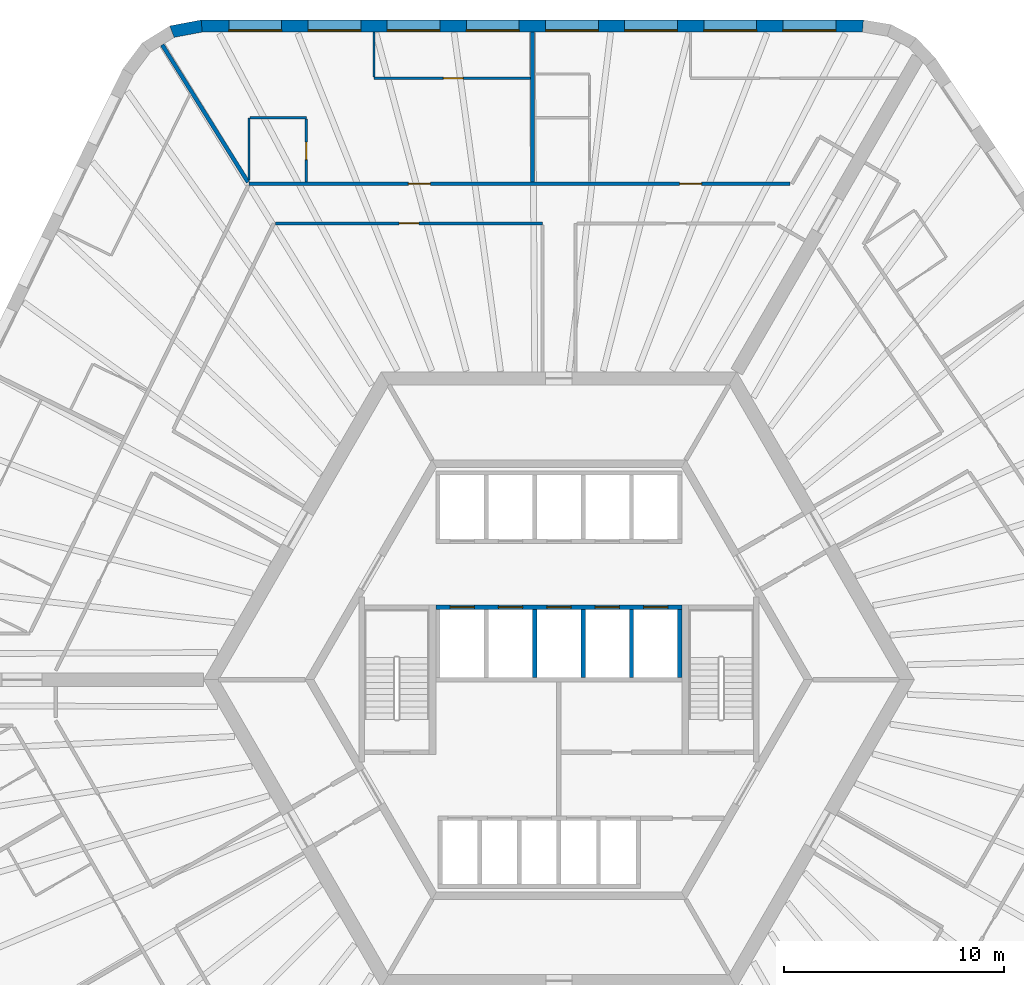
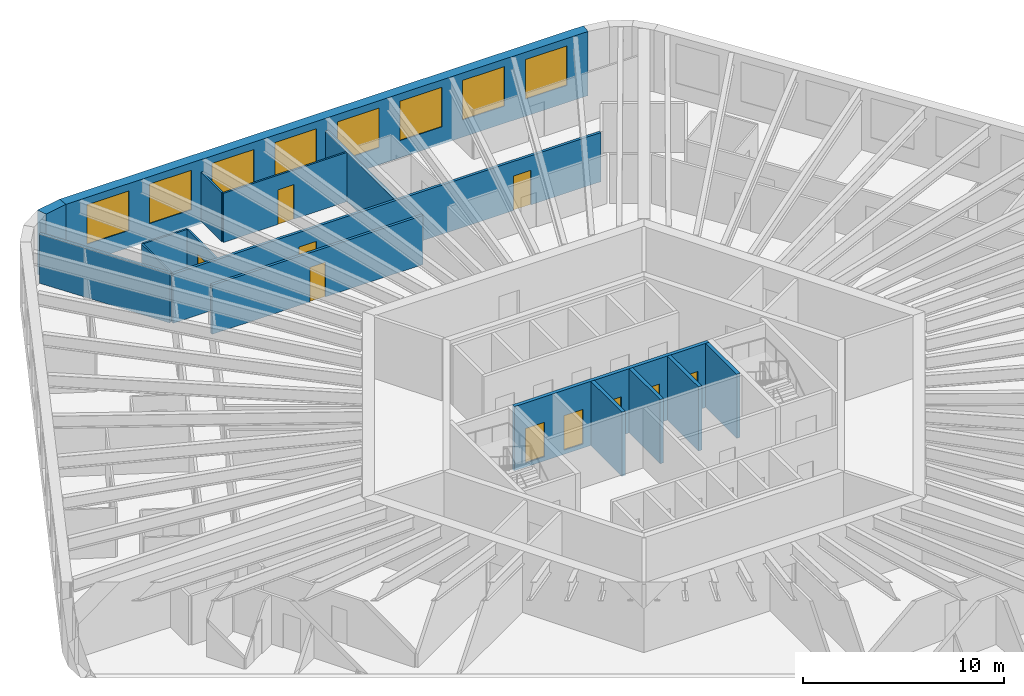
# One storey, part 8 of 12: 16 walls, 10 doors, 8 windows, 18 openings.
"""IFC4 building model written with IfcOpenShell, lengths in metres."""

from ifc_helpers import new_model, si_unit, direction, frame, frame_2d, origin, place, context, subcontext, project, spatial, polyline, rectangle, outline, extrude, material, layer, layer_set, type_object, element, fill, save


model = new_model("IFC4")

# Units and contexts
model_context = context("Model", 3, precision=1e-05, world=origin(), true_north=direction((0.0, 1.0)))
body_context = subcontext(model_context, "Body", "Model", "MODEL_VIEW")
ifc_project = project(units=[si_unit("LENGTHUNIT", "METRE"), si_unit("AREAUNIT", "SQUARE_METRE"), si_unit("VOLUMEUNIT", "CUBIC_METRE"), si_unit("PLANEANGLEUNIT", "RADIAN"), si_unit("MASSUNIT", "GRAM", prefix="KILO")], contexts=[model_context])

# Site, building, storey
site_placement = place(None, origin())
site = spatial("IfcSite", under=ifc_project, at=site_placement, CompositionType="ELEMENT")
building_placement = place(site_placement, origin())
building = spatial("IfcBuilding", under=site, at=building_placement, Name="Tarnside Tower", CompositionType="ELEMENT")
storey_placement = place(building_placement, frame((0.0, 0.0, 53.10009765625)))
storey = spatial("IfcBuildingStorey", under=building, at=storey_placement, Name="L10", CompositionType="ELEMENT", Elevation=53.10009765625)

# Walls
ifc_material_1 = material(Name="Gypsum board partition on steel studs", Category="steel")
ifc_layer_1 = layer(ifc_material_1, 0.10009765625)
ifc_layer_set_1 = layer_set([ifc_layer_1], Name="Bathroom wall 100")
wall_type_1 = type_object("IfcWallType", Name="Bathroom wall 100", PredefinedType="PARTITIONING", material=ifc_layer_set_1)
wall_1_placement = place(storey_placement, frame((-14.0908203125, 22.72119140625, 0.0), z_axis=(0.0, 0.0, 1.0), x_axis=(0.0, 1.0, 0.0)))
element("IfcWall", 1, at=wall_1_placement, inside=storey, type_object=wall_type_1, Name="Bathroom wall 02082", PredefinedType="PARTITIONING", context=body_context, shape_type="SweptSolid", body=[
    extrude(rectangle(XDim=2.828857421875, YDim=0.10009765625, at=frame_2d((1.41455078125, 0.0))), origin(), (0.0, 0.0, 1.0), 2.98779296875),
])
wall_2_placement = place(storey_placement, frame((-14.040771484375, 25.550048828125, 0.0), z_axis=(0.0, 0.0, 1.0), x_axis=(1.0, 0.0, 0.0)))
element("IfcWall", 2, at=wall_2_placement, inside=storey, type_object=wall_type_1, Name="Bathroom wall 02083", PredefinedType="PARTITIONING", context=body_context, shape_type="SweptSolid", body=[
    extrude(rectangle(XDim=2.550048828125, YDim=0.10009765625, at=frame_2d((1.27490234375, 0.0))), origin(), (0.0, 0.0, 1.0), 2.98779296875),
])

# Wall, opening, door
wall_3_placement = place(storey_placement, frame((-11.49072265625, 25.5, 0.0), z_axis=(0.0, 0.0, 1.0), x_axis=(0.0, -1.0, 0.0)))
wall_3 = element("IfcWall", 3, at=wall_3_placement, inside=storey, type_object=wall_type_1, Name="Bathroom wall 02084", PredefinedType="PARTITIONING", context=body_context, shape_type="SweptSolid", body=[
    extrude(rectangle(XDim=2.875, YDim=0.10009765625, at=frame_2d((1.4375, 0.0))), origin(), (0.0, 0.0, 1.0), 2.98779296875),
])
opening_1_placement = place(wall_3_placement, frame((1.050048828125, 0.0, 0.0)))
opening_1 = element("IfcOpeningElement", 4, at=opening_1_placement, cuts=wall_3, Name="Opening D-B1", PredefinedType="OPENING", context=body_context, shape_type="SweptSolid", body=[
    extrude(rectangle(XDim=0.800048828125, YDim=2.10009765625, at=frame_2d((0.39990234375, 1.050048828125))), frame((0.0, 0.06005859375, 0.0), z_axis=(0.0, -1.0, 0.0), x_axis=(1.0, 0.0, 0.0)), (0.0, 0.0, 1.0), 0.1201171875),
])
ifc_material_2 = material(Name="Timber door leaf", Category="wood")
door_type_1 = type_object("IfcDoorType", Name="Bathroom door 800", OperationType="NOTDEFINED", PredefinedType="DOOR", material=ifc_material_2)
door_1_placement = place(opening_1_placement, origin())
door_1 = element("IfcDoor", 5, at=door_1_placement, inside=storey, type_object=door_type_1, Name="Bathroom door 02006", OperationType="SINGLE_SWING_RIGHT", OverallHeight=2.10009765625, OverallWidth=0.800048828125, PredefinedType="DOOR", context=body_context, shape_type="SweptSolid", body=[
    extrude(rectangle(XDim=0.800048828125, YDim=2.10009765625, at=frame_2d((0.39990234375, 1.050048828125))), frame((0.0, 0.02490234375, 0.0), z_axis=(0.0, -1.0, 0.0), x_axis=(1.0, 0.0, 0.0)), (0.0, 0.0, 1.0), 0.050048828125),
])
fill(opening_1, door_1)

# Wall, openings, doors
ifc_layer_2 = layer(ifc_material_1, 0.14990234375)
ifc_layer_set_2 = layer_set([ifc_layer_2], Name="Corridor wall 150 EI 60")
wall_type_2 = type_object("IfcWallType", Name="Corridor wall 150 EI 60", PredefinedType="PARTITIONING", material=ifc_layer_set_2)
wall_4_placement = place(storey_placement, frame((10.5078125, 22.550048828125, 0.0), z_axis=(0.0, 0.0, 1.0), x_axis=(-1.0, 0.0, 0.0)))
wall_4 = element("IfcWall", 6, at=wall_4_placement, inside=storey, type_object=wall_type_2, Name="Corridor wall 02003", PredefinedType="PARTITIONING", context=body_context, shape_type="SweptSolid", body=[
    extrude(rectangle(XDim=24.5986328125, YDim=0.14990234375, at=frame_2d((12.29931640625, 0.0))), origin(), (0.0, 0.0, 1.0), 2.98779296875),
])
opening_2_placement = place(wall_4_placement, frame((4.01611328125, 0.0, 0.0)))
opening_2 = element("IfcOpeningElement", 7, at=opening_2_placement, cuts=wall_4, Name="Opening D-E1", PredefinedType="OPENING", context=body_context, shape_type="SweptSolid", body=[
    extrude(rectangle(XDim=1.0, YDim=2.10009765625, at=frame_2d((0.5, 1.050048828125))), frame((0.0, 0.0849609375, 0.0), z_axis=(0.0, -1.0, 0.0), x_axis=(1.0, 0.0, 0.0)), (0.0, 0.0, 1.0), 0.169921875),
])
opening_3_placement = place(wall_4_placement, frame((16.358642578125, 0.0, 0.0)))
opening_3 = element("IfcOpeningElement", 8, at=opening_3_placement, cuts=wall_4, Name="Opening D-E1", PredefinedType="OPENING", context=body_context, shape_type="SweptSolid", body=[
    extrude(rectangle(XDim=1.0, YDim=2.10009765625, at=frame_2d((0.5, 1.050048828125))), frame((0.0, 0.0849609375, 0.0), z_axis=(0.0, -1.0, 0.0), x_axis=(1.0, 0.0, 0.0)), (0.0, 0.0, 1.0), 0.169921875),
])
door_type_2 = type_object("IfcDoorType", Name="Unit entrance door 1000 FD30S", OperationType="NOTDEFINED", PredefinedType="DOOR", material=ifc_material_2)
door_2_placement = place(opening_2_placement, origin())
door_2 = element("IfcDoor", 9, at=door_2_placement, inside=storey, type_object=door_type_2, Name="Unit door 02001", OperationType="SINGLE_SWING_RIGHT", OverallHeight=2.10009765625, OverallWidth=1.0, PredefinedType="DOOR", context=body_context, shape_type="SweptSolid", body=[
    extrude(rectangle(XDim=1.0, YDim=2.10009765625, at=frame_2d((0.5, 1.050048828125))), frame((0.0, 0.02490234375, 0.0), z_axis=(0.0, -1.0, 0.0), x_axis=(1.0, 0.0, 0.0)), (0.0, 0.0, 1.0), 0.050048828125),
])
fill(opening_2, door_2)
door_3_placement = place(opening_3_placement, origin())
door_3 = element("IfcDoor", 10, at=door_3_placement, inside=storey, type_object=door_type_2, Name="Unit door 02005", OperationType="SINGLE_SWING_LEFT", OverallHeight=2.10009765625, OverallWidth=1.0, PredefinedType="DOOR", context=body_context, shape_type="SweptSolid", body=[
    extrude(rectangle(XDim=1.0, YDim=2.10009765625, at=frame_2d((0.5, 1.050048828125))), frame((0.0, 0.02490234375, 0.0), z_axis=(0.0, -1.0, 0.0), x_axis=(1.0, 0.0, 0.0)), (0.0, 0.0, 1.0), 0.050048828125),
])
fill(opening_3, door_3)

# Wall, opening, door
wall_5_placement = place(storey_placement, frame((-12.882568359375, 20.75, 0.0), z_axis=(0.0, 0.0, 1.0), x_axis=(1.0, 0.0, 0.0)))
wall_5 = element("IfcWall", 11, at=wall_5_placement, inside=storey, type_object=wall_type_2, Name="Corridor wall 02015", PredefinedType="PARTITIONING", context=body_context, shape_type="SweptSolid", body=[
    extrude(rectangle(XDim=12.132568359375, YDim=0.14990234375, at=frame_2d((6.06640625, 0.0))), origin(), (0.0, 0.0, 1.0), 2.98779296875),
])
opening_4_placement = place(wall_5_placement, frame((5.6162109375, 0.0, 0.0)))
opening_4 = element("IfcOpeningElement", 12, at=opening_4_placement, cuts=wall_5, Name="Opening D-S1", PredefinedType="OPENING", context=body_context, shape_type="SweptSolid", body=[
    extrude(rectangle(XDim=0.89990234375, YDim=2.10009765625, at=frame_2d((0.449951171875, 1.050048828125))), frame((0.0, 0.0849609375, 0.0), z_axis=(0.0, -1.0, 0.0), x_axis=(1.0, 0.0, 0.0)), (0.0, 0.0, 1.0), 0.169921875),
])
door_type_3 = type_object("IfcDoorType", Name="Service room door 900 FD30S", OperationType="NOTDEFINED", PredefinedType="DOOR", material=ifc_material_2)
door_4_placement = place(opening_4_placement, origin())
door_4 = element("IfcDoor", 13, at=door_4_placement, inside=storey, type_object=door_type_3, Name="Service door 02041", OperationType="SINGLE_SWING_LEFT", OverallHeight=2.10009765625, OverallWidth=0.89990234375, PredefinedType="DOOR", context=body_context, shape_type="SweptSolid", body=[
    extrude(rectangle(XDim=0.89990234375, YDim=2.10009765625, at=frame_2d((0.449951171875, 1.050048828125))), frame((0.0, 0.02490234375, 0.0), z_axis=(0.0, -1.0, 0.0), x_axis=(1.0, 0.0, 0.0)), (0.0, 0.0, 1.0), 0.050048828125),
])
fill(opening_4, door_4)

# Walls
ifc_layer_3 = layer(ifc_material_1, 0.179931640625)
ifc_layer_set_3 = layer_set([ifc_layer_3], Name="Demising wall 180 EI 60")
wall_type_3 = type_object("IfcWallType", Name="Demising wall 180 EI 60", PredefinedType="PARTITIONING", material=ifc_layer_set_3)
wall_6_placement = place(storey_placement, frame((-1.2109375, 29.449951171875, 0.0), z_axis=(0.0, 0.0, 1.0), x_axis=(0.0, -1.0, 0.0)))
element("IfcWall", 14, at=wall_6_placement, inside=storey, type_object=wall_type_3, Name="Demising wall 02077", PredefinedType="PARTITIONING", context=body_context, shape_type="SweptSolid", body=[
    extrude(rectangle(XDim=6.824951171875, YDim=0.179931640625, at=frame_2d((3.41259765625, 0.0))), origin(), (0.0, 0.0, 1.0), 2.98779296875),
])
wall_7_placement = place(storey_placement, frame((-18.040771484375, 28.87109375, 0.0), z_axis=(0.0, 0.0, 1.0), x_axis=(0.529927429128, -0.848042994109, 0.0)))
element("IfcWall", 15, at=wall_7_placement, inside=storey, type_object=wall_type_3, Name="Demising wall 02087", PredefinedType="PARTITIONING", context=body_context, shape_type="SweptSolid", body=[
    extrude(rectangle(XDim=7.365234375, YDim=0.179931640625, at=frame_2d((3.6826171875, 0.0))), origin(), (0.0, 0.0, 1.0), 2.98779296875),
])

# Wall, openings, doors
ifc_material_3 = material(Name="Concrete C40/50", Category="concrete")
ifc_layer_4 = layer(ifc_material_3, 0.199951171875)
ifc_layer_set_4 = layer_set([ifc_layer_4], Name="Lift shaft wall 200 C40/50")
wall_type_4 = type_object("IfcWallType", Name="Lift shaft wall 200 C40/50", PredefinedType="SHEAR", material=ifc_layer_set_4)
wall_8_placement = place(storey_placement, frame((-5.60009765625, 3.300048828125, -0.25), z_axis=(0.0, 0.0, 1.0), x_axis=(1.0, 0.0, 0.0)))
wall_8 = element("IfcWall", 16, at=wall_8_placement, inside=storey, type_object=wall_type_4, Name="L10 lift shaft front wall R2", PredefinedType="SHEAR", context=body_context, shape_type="SweptSolid", body=[
    extrude(rectangle(XDim=11.2001953125, YDim=0.199951171875, at=frame_2d((5.60009765625, 0.0))), origin(), (0.0, 0.0, 1.0), 3.89990234375),
])
opening_5_placement = place(wall_8_placement, frame((0.64990234375, 0.0, 0.25)))
opening_5 = element("IfcOpeningElement", 17, at=opening_5_placement, cuts=wall_8, Name="Opening LD", PredefinedType="OPENING", context=body_context, shape_type="SweptSolid", body=[
    extrude(rectangle(XDim=1.10009765625, YDim=2.10009765625, at=frame_2d((0.550048828125, 1.050048828125))), frame((0.0, 0.10986328125, 0.0), z_axis=(0.0, -1.0, 0.0), x_axis=(1.0, 0.0, 0.0)), (0.0, 0.0, 1.0), 0.219970703125),
])
opening_6_placement = place(wall_8_placement, frame((2.85009765625, 0.0, 0.25)))
opening_6 = element("IfcOpeningElement", 18, at=opening_6_placement, cuts=wall_8, Name="Opening LD", PredefinedType="OPENING", context=body_context, shape_type="SweptSolid", body=[
    extrude(rectangle(XDim=1.10009765625, YDim=2.10009765625, at=frame_2d((0.550048828125, 1.050048828125))), frame((0.0, 0.10986328125, 0.0), z_axis=(0.0, -1.0, 0.0), x_axis=(1.0, 0.0, 0.0)), (0.0, 0.0, 1.0), 0.219970703125),
])
opening_7_placement = place(wall_8_placement, frame((5.050048828125, 0.0, 0.25)))
opening_7 = element("IfcOpeningElement", 19, at=opening_7_placement, cuts=wall_8, Name="Opening LD", PredefinedType="OPENING", context=body_context, shape_type="SweptSolid", body=[
    extrude(rectangle(XDim=1.10009765625, YDim=2.10009765625, at=frame_2d((0.550048828125, 1.050048828125))), frame((0.0, 0.10986328125, 0.0), z_axis=(0.0, -1.0, 0.0), x_axis=(1.0, 0.0, 0.0)), (0.0, 0.0, 1.0), 0.219970703125),
])
opening_8_placement = place(wall_8_placement, frame((7.25, 0.0, 0.25)))
opening_8 = element("IfcOpeningElement", 20, at=opening_8_placement, cuts=wall_8, Name="Opening LD", PredefinedType="OPENING", context=body_context, shape_type="SweptSolid", body=[
    extrude(rectangle(XDim=1.10009765625, YDim=2.10009765625, at=frame_2d((0.550048828125, 1.050048828125))), frame((0.0, 0.10986328125, 0.0), z_axis=(0.0, -1.0, 0.0), x_axis=(1.0, 0.0, 0.0)), (0.0, 0.0, 1.0), 0.219970703125),
])
opening_9_placement = place(wall_8_placement, frame((9.449951171875, 0.0, 0.25)))
opening_9 = element("IfcOpeningElement", 21, at=opening_9_placement, cuts=wall_8, Name="Opening LD", PredefinedType="OPENING", context=body_context, shape_type="SweptSolid", body=[
    extrude(rectangle(XDim=1.10009765625, YDim=2.10009765625, at=frame_2d((0.550048828125, 1.050048828125))), frame((0.0, 0.10986328125, 0.0), z_axis=(0.0, -1.0, 0.0), x_axis=(1.0, 0.0, 0.0)), (0.0, 0.0, 1.0), 0.219970703125),
])
ifc_material_4 = material(Name="Stainless steel", Category="steel")
door_type_4 = type_object("IfcDoorType", Name="Lift landing door 1100x2100", OperationType="NOTDEFINED", PredefinedType="DOOR", material=ifc_material_4)
door_5_placement = place(opening_5_placement, origin())
door_5 = element("IfcDoor", 22, at=door_5_placement, inside=storey, type_object=door_type_4, Name="Low-rise lift 4 landing door L10", OperationType="SLIDING_TO_LEFT", OverallHeight=2.10009765625, OverallWidth=1.10009765625, PredefinedType="DOOR", context=body_context, shape_type="SweptSolid", body=[
    extrude(rectangle(XDim=1.10009765625, YDim=2.10009765625, at=frame_2d((0.550048828125, 1.050048828125))), frame((0.0, 0.02490234375, 0.0), z_axis=(0.0, -1.0, 0.0), x_axis=(1.0, 0.0, 0.0)), (0.0, 0.0, 1.0), 0.050048828125),
])
fill(opening_5, door_5)
door_6_placement = place(opening_6_placement, origin())
door_6 = element("IfcDoor", 23, at=door_6_placement, inside=storey, type_object=door_type_4, Name="Low-rise lift 5 landing door L10", OperationType="SLIDING_TO_LEFT", OverallHeight=2.10009765625, OverallWidth=1.10009765625, PredefinedType="DOOR", context=body_context, shape_type="SweptSolid", body=[
    extrude(rectangle(XDim=1.10009765625, YDim=2.10009765625, at=frame_2d((0.550048828125, 1.050048828125))), frame((0.0, 0.02490234375, 0.0), z_axis=(0.0, -1.0, 0.0), x_axis=(1.0, 0.0, 0.0)), (0.0, 0.0, 1.0), 0.050048828125),
])
fill(opening_6, door_6)
door_7_placement = place(opening_7_placement, origin())
door_7 = element("IfcDoor", 24, at=door_7_placement, inside=storey, type_object=door_type_4, Name="Low-rise lift 6 landing door L10", OperationType="SLIDING_TO_LEFT", OverallHeight=2.10009765625, OverallWidth=1.10009765625, PredefinedType="DOOR", context=body_context, shape_type="SweptSolid", body=[
    extrude(rectangle(XDim=1.10009765625, YDim=2.10009765625, at=frame_2d((0.550048828125, 1.050048828125))), frame((0.0, 0.02490234375, 0.0), z_axis=(0.0, -1.0, 0.0), x_axis=(1.0, 0.0, 0.0)), (0.0, 0.0, 1.0), 0.050048828125),
])
fill(opening_7, door_7)
door_8_placement = place(opening_8_placement, origin())
door_8 = element("IfcDoor", 25, at=door_8_placement, inside=storey, type_object=door_type_4, Name="High sky-lobby shuttle 1 landing door L10", OperationType="SLIDING_TO_LEFT", OverallHeight=2.10009765625, OverallWidth=1.10009765625, PredefinedType="DOOR", context=body_context, shape_type="SweptSolid", body=[
    extrude(rectangle(XDim=1.10009765625, YDim=2.10009765625, at=frame_2d((0.550048828125, 1.050048828125))), frame((0.0, 0.02490234375, 0.0), z_axis=(0.0, -1.0, 0.0), x_axis=(1.0, 0.0, 0.0)), (0.0, 0.0, 1.0), 0.050048828125),
])
fill(opening_8, door_8)
door_9_placement = place(opening_9_placement, origin())
door_9 = element("IfcDoor", 26, at=door_9_placement, inside=storey, type_object=door_type_4, Name="Express sky-lobby shuttle 2 landing door L10", OperationType="SLIDING_TO_LEFT", OverallHeight=2.10009765625, OverallWidth=1.10009765625, PredefinedType="DOOR", context=body_context, shape_type="SweptSolid", body=[
    extrude(rectangle(XDim=1.10009765625, YDim=2.10009765625, at=frame_2d((0.550048828125, 1.050048828125))), frame((0.0, 0.02490234375, 0.0), z_axis=(0.0, -1.0, 0.0), x_axis=(1.0, 0.0, 0.0)), (0.0, 0.0, 1.0), 0.050048828125),
])
fill(opening_9, door_9)

# Walls
for number, where, z_axis, x_axis, name in (
    (27, (-1.10009765625, 0.10009765625, -0.25), (0.0, 0.0, 1.0), (0.0, 1.0, 0.0), "L10 lift shaft partition R23"),
    (28, (1.10009765625, 0.10009765625, -0.25), (0.0, 0.0, 1.0), (0.0, 1.0, 0.0), "L10 lift shaft partition R24"),
    (29, (3.300048828125, 0.10009765625, -0.25), (0.0, 0.0, 1.0), (0.0, 1.0, 0.0), "L10 lift shaft partition R25"),
    (30, (5.5, 0.10009765625, -0.25), (0.0, 0.0, 1.0), (0.0, 1.0, 0.0), "L10 lift shaft partition R26"),
):
    element("IfcWall", number, at=place(storey_placement, frame(where, z_axis=z_axis, x_axis=x_axis)), inside=storey, type_object=wall_type_4, Name=name, PredefinedType="SHEAR", context=body_context, shape_type="SweptSolid", body=[
        extrude(rectangle(XDim=3.099853515625, YDim=0.199951171875, at=frame_2d((1.5498046875, 0.0))), origin(), (0.0, 0.0, 1.0), 3.89990234375),
    ])

# Wall, opening, door
ifc_layer_5 = layer(ifc_material_1, 0.10009765625)
ifc_layer_set_5 = layer_set([ifc_layer_5], Name="Partition 100")
wall_type_5 = type_object("IfcWallType", Name="Partition 100", PredefinedType="PARTITIONING", material=ifc_layer_set_5)
wall_9_placement = place(storey_placement, frame((-1.301025390625, 27.35009765625, 0.0), z_axis=(0.0, 0.0, 1.0), x_axis=(-1.0, 0.0, 0.0)))
wall_9 = element("IfcWall", 31, at=wall_9_placement, inside=storey, type_object=wall_type_5, Name="Partition wall 02085", PredefinedType="PARTITIONING", context=body_context, shape_type="SweptSolid", body=[
    extrude(rectangle(XDim=7.110107421875, YDim=0.10009765625, at=frame_2d((3.55517578125, 0.0))), origin(), (0.0, 0.0, 1.0), 2.98779296875),
])
opening_10_placement = place(wall_9_placement, frame((3.06005859375, 0.0, 0.0)))
opening_10 = element("IfcOpeningElement", 32, at=opening_10_placement, cuts=wall_9, Name="Opening D-I1", PredefinedType="OPENING", context=body_context, shape_type="SweptSolid", body=[
    extrude(rectangle(XDim=0.89990234375, YDim=2.10009765625, at=frame_2d((0.449951171875, 1.050048828125))), frame((0.0, 0.06005859375, 0.0), z_axis=(0.0, -1.0, 0.0), x_axis=(1.0, 0.0, 0.0)), (0.0, 0.0, 1.0), 0.1201171875),
])
door_type_5 = type_object("IfcDoorType", Name="Internal door 900", OperationType="NOTDEFINED", PredefinedType="DOOR", material=ifc_material_2)
door_10_placement = place(opening_10_placement, origin())
door_10 = element("IfcDoor", 33, at=door_10_placement, inside=storey, type_object=door_type_5, Name="Internal door 02007", OperationType="SINGLE_SWING_RIGHT", OverallHeight=2.10009765625, OverallWidth=0.89990234375, PredefinedType="DOOR", context=body_context, shape_type="SweptSolid", body=[
    extrude(rectangle(XDim=0.89990234375, YDim=2.10009765625, at=frame_2d((0.449951171875, 1.050048828125))), frame((0.0, 0.02490234375, 0.0), z_axis=(0.0, -1.0, 0.0), x_axis=(1.0, 0.0, 0.0)), (0.0, 0.0, 1.0), 0.050048828125),
])
fill(opening_10, door_10)

# Wall
wall_10_placement = place(storey_placement, frame((-8.4111328125, 27.39990234375, 0.0), z_axis=(0.0, 0.0, 1.0), x_axis=(0.0, 1.0, 0.0)))
element("IfcWall", 34, at=wall_10_placement, inside=storey, type_object=wall_type_5, Name="Partition wall 02086", PredefinedType="PARTITIONING", context=body_context, shape_type="SweptSolid", body=[
    extrude(rectangle(XDim=2.050048828125, YDim=0.10009765625, at=frame_2d((1.02490234375, 0.0))), origin(), (0.0, 0.0, 1.0), 2.98779296875),
])

# Wall, openings, windows
ifc_material_5 = material(Name="Facing brick", Category="masonry")
ifc_layer_6 = layer(ifc_material_5, 0.10205078125)
ifc_material_6 = material(Name="Concrete C60/75 precast", Category="concrete")
ifc_layer_7 = layer(ifc_material_6, 0.347900390625)
ifc_material_7 = material(Name="Mineral wool insulation")
ifc_layer_8 = layer(ifc_material_7, 0.10009765625)
ifc_layer_set_6 = layer_set([ifc_layer_6, ifc_layer_7, ifc_layer_8], Name="Tube wall 550 brick faced")
wall_type_6 = type_object("IfcWallType", Name="Tube wall 550 brick faced", PredefinedType="SOLIDWALL", material=ifc_layer_set_6)
wall_11_placement = place(storey_placement, frame((13.824462890625, 29.72509765625, -0.150146484375), z_axis=(0.0, 0.0, 1.0), x_axis=(-1.0, 0.0, 0.0)))
wall_11 = element("IfcWall", 35, at=wall_11_placement, inside=storey, type_object=wall_type_6, Name="Tube wall L10 F1 flush 00", PredefinedType="SOLIDWALL", context=body_context, shape_type="SweptSolid", body=[
    extrude(outline(polyline([(-0.0224609375, -0.27490234375), (30.0966796875, -0.27490234375), (30.04541015625, 0.27490234375), (0.0224609375, 0.27490234375), (-0.0224609375, -0.27490234375)])), origin(), (0.0, 0.0, 1.0), 3.900146484375),
])
opening_11_placement = place(wall_11_placement, frame((1.235595703125, 0.0, 1.050048828125)))
opening_11 = element("IfcOpeningElement", 36, at=opening_11_placement, cuts=wall_11, Name="Opening WH", PredefinedType="OPENING", context=body_context, shape_type="SweptSolid", body=[
    extrude(rectangle(XDim=2.39990234375, YDim=2.39990234375, at=frame_2d((1.199951171875, 1.199951171875))), frame((0.0, 0.28515625, 0.0), z_axis=(0.0, -1.0, 0.0), x_axis=(1.0, 0.0, 0.0)), (0.0, 0.0, 1.0), 0.570068359375),
])
opening_12_placement = place(wall_11_placement, frame((4.83544921875, 0.0, 1.050048828125)))
opening_12 = element("IfcOpeningElement", 37, at=opening_12_placement, cuts=wall_11, Name="Opening WH", PredefinedType="OPENING", context=body_context, shape_type="SweptSolid", body=[
    extrude(rectangle(XDim=2.39990234375, YDim=2.39990234375, at=frame_2d((1.199951171875, 1.199951171875))), frame((0.0, 0.28515625, 0.0), z_axis=(0.0, -1.0, 0.0), x_axis=(1.0, 0.0, 0.0)), (0.0, 0.0, 1.0), 0.570068359375),
])
opening_13_placement = place(wall_11_placement, frame((8.435546875, 0.0, 1.050048828125)))
opening_13 = element("IfcOpeningElement", 38, at=opening_13_placement, cuts=wall_11, Name="Opening WH", PredefinedType="OPENING", context=body_context, shape_type="SweptSolid", body=[
    extrude(rectangle(XDim=2.39990234375, YDim=2.39990234375, at=frame_2d((1.199951171875, 1.199951171875))), frame((0.0, 0.28515625, 0.0), z_axis=(0.0, -1.0, 0.0), x_axis=(1.0, 0.0, 0.0)), (0.0, 0.0, 1.0), 0.570068359375),
])
opening_14_placement = place(wall_11_placement, frame((12.035400390625, 0.0, 1.050048828125)))
opening_14 = element("IfcOpeningElement", 39, at=opening_14_placement, cuts=wall_11, Name="Opening WH", PredefinedType="OPENING", context=body_context, shape_type="SweptSolid", body=[
    extrude(rectangle(XDim=2.39990234375, YDim=2.39990234375, at=frame_2d((1.199951171875, 1.199951171875))), frame((0.0, 0.28515625, 0.0), z_axis=(0.0, -1.0, 0.0), x_axis=(1.0, 0.0, 0.0)), (0.0, 0.0, 1.0), 0.570068359375),
])
opening_15_placement = place(wall_11_placement, frame((15.635498046875, 0.0, 1.050048828125)))
opening_15 = element("IfcOpeningElement", 40, at=opening_15_placement, cuts=wall_11, Name="Opening WH", PredefinedType="OPENING", context=body_context, shape_type="SweptSolid", body=[
    extrude(rectangle(XDim=2.39990234375, YDim=2.39990234375, at=frame_2d((1.199951171875, 1.199951171875))), frame((0.0, 0.28515625, 0.0), z_axis=(0.0, -1.0, 0.0), x_axis=(1.0, 0.0, 0.0)), (0.0, 0.0, 1.0), 0.570068359375),
])
opening_16_placement = place(wall_11_placement, frame((19.235595703125, 0.0, 1.050048828125)))
opening_16 = element("IfcOpeningElement", 41, at=opening_16_placement, cuts=wall_11, Name="Opening WH", PredefinedType="OPENING", context=body_context, shape_type="SweptSolid", body=[
    extrude(rectangle(XDim=2.39990234375, YDim=2.39990234375, at=frame_2d((1.199951171875, 1.199951171875))), frame((0.0, 0.28515625, 0.0), z_axis=(0.0, -1.0, 0.0), x_axis=(1.0, 0.0, 0.0)), (0.0, 0.0, 1.0), 0.570068359375),
])
opening_17_placement = place(wall_11_placement, frame((22.83544921875, 0.0, 1.050048828125)))
opening_17 = element("IfcOpeningElement", 42, at=opening_17_placement, cuts=wall_11, Name="Opening WH", PredefinedType="OPENING", context=body_context, shape_type="SweptSolid", body=[
    extrude(rectangle(XDim=2.39990234375, YDim=2.39990234375, at=frame_2d((1.199951171875, 1.199951171875))), frame((0.0, 0.28515625, 0.0), z_axis=(0.0, -1.0, 0.0), x_axis=(1.0, 0.0, 0.0)), (0.0, 0.0, 1.0), 0.570068359375),
])
opening_18_placement = place(wall_11_placement, frame((26.435546875, 0.0, 1.050048828125)))
opening_18 = element("IfcOpeningElement", 43, at=opening_18_placement, cuts=wall_11, Name="Opening WH", PredefinedType="OPENING", context=body_context, shape_type="SweptSolid", body=[
    extrude(rectangle(XDim=2.39990234375, YDim=2.39990234375, at=frame_2d((1.199951171875, 1.199951171875))), frame((0.0, 0.28515625, 0.0), z_axis=(0.0, -1.0, 0.0), x_axis=(1.0, 0.0, 0.0)), (0.0, 0.0, 1.0), 0.570068359375),
])
ifc_material_8 = material(Name="Aluminium-framed double glazing", Category="aluminium")
window_type = type_object("IfcWindowType", Name="Hotel window 2400 x 2400", PartitioningType="DOUBLE_PANEL_VERTICAL", PredefinedType="WINDOW", material=ifc_material_8)
window_1_placement = place(opening_11_placement, frame((0.0, 0.205078125, 0.0)))
window_1 = element("IfcWindow", 44, at=window_1_placement, inside=storey, type_object=window_type, Name="E.WN.L10.F1.00", OverallHeight=2.39990234375, OverallWidth=2.39990234375, PartitioningType="DOUBLE_PANEL_VERTICAL", PredefinedType="WINDOW", context=body_context, shape_type="SweptSolid", body=[
    extrude(rectangle(XDim=2.39990234375, YDim=2.39990234375, at=frame_2d((1.199951171875, 1.199951171875))), frame((0.0, 0.030029296875, 0.0), z_axis=(0.0, -1.0, 0.0), x_axis=(1.0, 0.0, 0.0)), (0.0, 0.0, 1.0), 0.06005859375),
])
fill(opening_11, window_1)
window_2_placement = place(opening_12_placement, frame((0.0, 0.205078125, 0.0)))
window_2 = element("IfcWindow", 45, at=window_2_placement, inside=storey, type_object=window_type, Name="E.WN.L10.F1.01", OverallHeight=2.39990234375, OverallWidth=2.39990234375, PartitioningType="DOUBLE_PANEL_VERTICAL", PredefinedType="WINDOW", context=body_context, shape_type="SweptSolid", body=[
    extrude(rectangle(XDim=2.39990234375, YDim=2.39990234375, at=frame_2d((1.199951171875, 1.199951171875))), frame((0.0, 0.030029296875, 0.0), z_axis=(0.0, -1.0, 0.0), x_axis=(1.0, 0.0, 0.0)), (0.0, 0.0, 1.0), 0.06005859375),
])
fill(opening_12, window_2)
window_3_placement = place(opening_13_placement, frame((0.0, 0.205078125, 0.0)))
window_3 = element("IfcWindow", 46, at=window_3_placement, inside=storey, type_object=window_type, Name="E.WN.L10.F1.02", OverallHeight=2.39990234375, OverallWidth=2.39990234375, PartitioningType="DOUBLE_PANEL_VERTICAL", PredefinedType="WINDOW", context=body_context, shape_type="SweptSolid", body=[
    extrude(rectangle(XDim=2.39990234375, YDim=2.39990234375, at=frame_2d((1.199951171875, 1.199951171875))), frame((0.0, 0.030029296875, 0.0), z_axis=(0.0, -1.0, 0.0), x_axis=(1.0, 0.0, 0.0)), (0.0, 0.0, 1.0), 0.06005859375),
])
fill(opening_13, window_3)
window_4_placement = place(opening_14_placement, frame((0.0, 0.205078125, 0.0)))
window_4 = element("IfcWindow", 47, at=window_4_placement, inside=storey, type_object=window_type, Name="E.WN.L10.F1.03", OverallHeight=2.39990234375, OverallWidth=2.39990234375, PartitioningType="DOUBLE_PANEL_VERTICAL", PredefinedType="WINDOW", context=body_context, shape_type="SweptSolid", body=[
    extrude(rectangle(XDim=2.39990234375, YDim=2.39990234375, at=frame_2d((1.199951171875, 1.199951171875))), frame((0.0, 0.030029296875, 0.0), z_axis=(0.0, -1.0, 0.0), x_axis=(1.0, 0.0, 0.0)), (0.0, 0.0, 1.0), 0.06005859375),
])
fill(opening_14, window_4)
window_5_placement = place(opening_15_placement, frame((0.0, 0.205078125, 0.0)))
window_5 = element("IfcWindow", 48, at=window_5_placement, inside=storey, type_object=window_type, Name="E.WN.L10.F1.04", OverallHeight=2.39990234375, OverallWidth=2.39990234375, PartitioningType="DOUBLE_PANEL_VERTICAL", PredefinedType="WINDOW", context=body_context, shape_type="SweptSolid", body=[
    extrude(rectangle(XDim=2.39990234375, YDim=2.39990234375, at=frame_2d((1.199951171875, 1.199951171875))), frame((0.0, 0.030029296875, 0.0), z_axis=(0.0, -1.0, 0.0), x_axis=(1.0, 0.0, 0.0)), (0.0, 0.0, 1.0), 0.06005859375),
])
fill(opening_15, window_5)
window_6_placement = place(opening_16_placement, frame((0.0, 0.205078125, 0.0)))
window_6 = element("IfcWindow", 49, at=window_6_placement, inside=storey, type_object=window_type, Name="E.WN.L10.F1.05", OverallHeight=2.39990234375, OverallWidth=2.39990234375, PartitioningType="DOUBLE_PANEL_VERTICAL", PredefinedType="WINDOW", context=body_context, shape_type="SweptSolid", body=[
    extrude(rectangle(XDim=2.39990234375, YDim=2.39990234375, at=frame_2d((1.199951171875, 1.199951171875))), frame((0.0, 0.030029296875, 0.0), z_axis=(0.0, -1.0, 0.0), x_axis=(1.0, 0.0, 0.0)), (0.0, 0.0, 1.0), 0.06005859375),
])
fill(opening_16, window_6)
window_7_placement = place(opening_17_placement, frame((0.0, 0.205078125, 0.0)))
window_7 = element("IfcWindow", 50, at=window_7_placement, inside=storey, type_object=window_type, Name="E.WN.L10.F1.06", OverallHeight=2.39990234375, OverallWidth=2.39990234375, PartitioningType="DOUBLE_PANEL_VERTICAL", PredefinedType="WINDOW", context=body_context, shape_type="SweptSolid", body=[
    extrude(rectangle(XDim=2.39990234375, YDim=2.39990234375, at=frame_2d((1.199951171875, 1.199951171875))), frame((0.0, 0.030029296875, 0.0), z_axis=(0.0, -1.0, 0.0), x_axis=(1.0, 0.0, 0.0)), (0.0, 0.0, 1.0), 0.06005859375),
])
fill(opening_17, window_7)
window_8_placement = place(opening_18_placement, frame((0.0, 0.205078125, 0.0)))
window_8 = element("IfcWindow", 51, at=window_8_placement, inside=storey, type_object=window_type, Name="E.WN.L10.F1.07", OverallHeight=2.39990234375, OverallWidth=2.39990234375, PartitioningType="DOUBLE_PANEL_VERTICAL", PredefinedType="WINDOW", context=body_context, shape_type="SweptSolid", body=[
    extrude(rectangle(XDim=2.39990234375, YDim=2.39990234375, at=frame_2d((1.199951171875, 1.199951171875))), frame((0.0, 0.030029296875, 0.0), z_axis=(0.0, -1.0, 0.0), x_axis=(1.0, 0.0, 0.0)), (0.0, 0.0, 1.0), 0.06005859375),
])
fill(opening_18, window_8)

# Wall
wall_12_placement = place(storey_placement, frame((-16.24658203125, 29.72509765625, -0.150146484375), z_axis=(0.0, 0.0, 1.0), x_axis=(-0.982705443133, -0.185175624845, 0.0)))
element("IfcWall", 52, at=wall_12_placement, inside=storey, type_object=wall_type_6, Name="Tube wall L10 F1 chord 01", PredefinedType="SOLIDWALL", context=body_context, shape_type="SweptSolid", body=[
    extrude(outline(polyline([(-0.025634765625, -0.27490234375), (1.430908203125, -0.27490234375), (1.327392578125, 0.27490234375), (0.025634765625, 0.27490234375), (-0.025634765625, -0.27490234375)])), origin(), (0.0, 0.0, 1.0), 3.900146484375),
])

save(model, "model.ifc")
